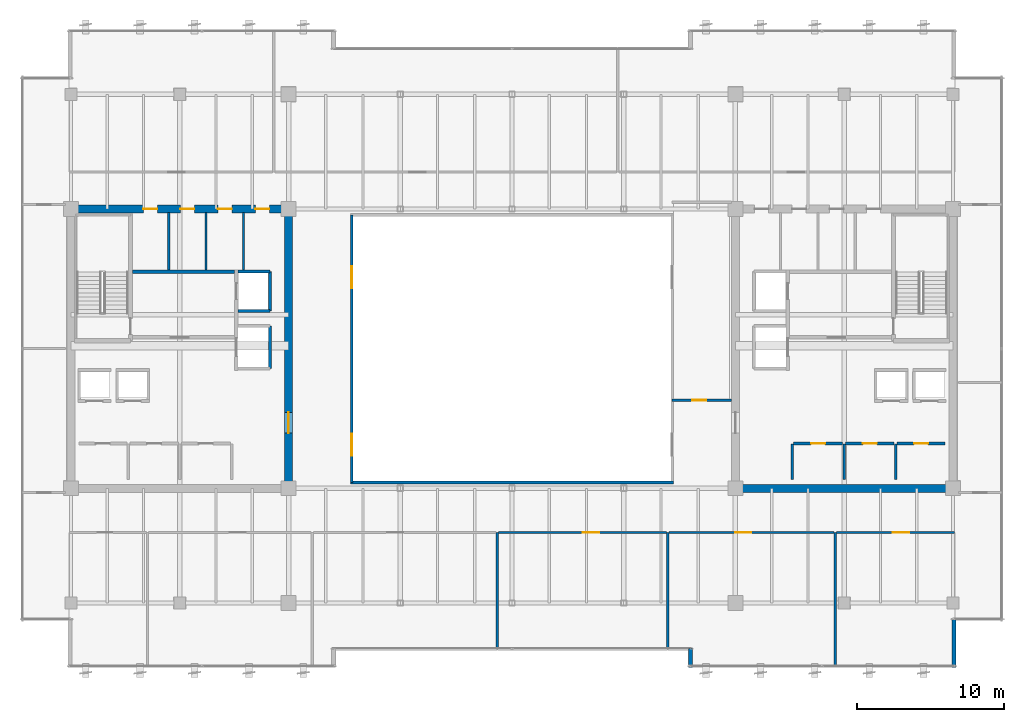
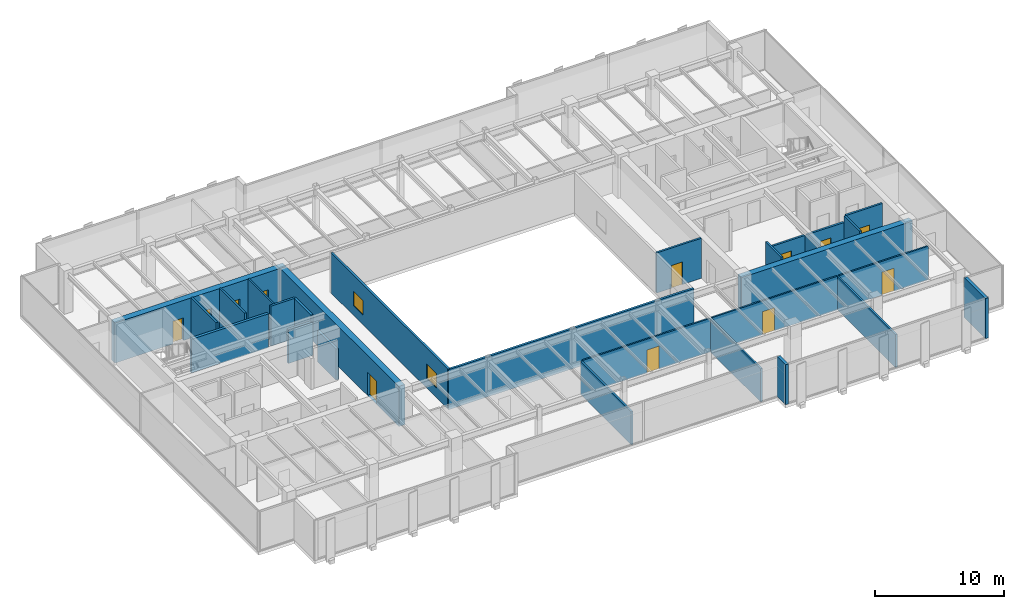
# One storey, part 29 of 36: 28 walls, 12 doors, 2 windows, 14 openings.
"""IFC4 building model written with IfcOpenShell, lengths in metres."""

from ifc_helpers import new_model, si_unit, direction, frame, frame_2d, origin, place, context, subcontext, project, spatial, rectangle, extrude, source, transform, mapped, material, layer, layer_set, type_object, type_shapes, element, fill, save


model = new_model("IFC4")

# Units and contexts
model_context = context("Model", 3, precision=1e-05, world=origin(), true_north=direction((0.0, 1.0)))
body_context = subcontext(model_context, "Body", "Model", "MODEL_VIEW")
ifc_project = project(units=[si_unit("LENGTHUNIT", "METRE"), si_unit("AREAUNIT", "SQUARE_METRE"), si_unit("VOLUMEUNIT", "CUBIC_METRE"), si_unit("PLANEANGLEUNIT", "RADIAN"), si_unit("MASSUNIT", "GRAM", prefix="KILO")], contexts=[model_context])

# Site, building, storey
site_placement = place(None, origin())
site = spatial("IfcSite", under=ifc_project, at=site_placement, CompositionType="ELEMENT")
building_placement = place(site_placement, origin())
building = spatial("IfcBuilding", under=site, at=building_placement, Name="Haelvirn Gate Laboratories", CompositionType="ELEMENT")
storey_placement = place(building_placement, frame((0.0, 0.0, 242.39990234375)))
storey = spatial("IfcBuildingStorey", under=building, at=storey_placement, Name="L58", CompositionType="ELEMENT", Elevation=242.39990234375)

# Walls
ifc_material_1 = material(Name="Thermally-broken bronze aluminium rainscreen & mineral wool", Category="aluminium")
ifc_layer_1 = layer(ifc_material_1, 0.280029296875, Name="EW-TERR-280")
ifc_layer_set_1 = layer_set([ifc_layer_1], Name="Thermally-broken bronze aluminium rainscreen & mineral wool")
wall_type_1 = type_object("IfcWallType", Name="EW-TERR-280", PredefinedType="STANDARD", material=ifc_layer_set_1)
wall_1_placement = place(storey_placement, frame((49.5400390625, 3.89306640625, 0.0), z_axis=(0.0, 0.0, 1.0), x_axis=(0.0, -1.0, 0.0)))
element("IfcWall", 1, at=wall_1_placement, inside=storey, type_object=wall_type_1, Name="L58 Atrium Recess Bronze Return Wall 03", PredefinedType="STANDARD", context=body_context, shape_type="SweptSolid", body=[
    extrude(rectangle(XDim=1.29296875, YDim=0.280029296875, at=frame_2d((0.646484375, 0.0))), origin(), (0.0, 0.0, 1.0), 3.800048828125),
])
wall_2_placement = place(storey_placement, frame((67.4599609375, 2.60009765625, 0.0), z_axis=(0.0, 0.0, 1.0), x_axis=(0.0, 1.0, 0.0)))
element("IfcWall", 2, at=wall_2_placement, inside=storey, type_object=wall_type_1, Name="L58 Atrium Recess Bronze Return Wall 05", PredefinedType="STANDARD", context=body_context, shape_type="SweptSolid", body=[
    extrude(rectangle(XDim=3.287841796875, YDim=0.280029296875, at=frame_2d((1.64404296875, 0.0))), origin(), (0.0, 0.0, 1.0), 3.800048828125),
])
ifc_material_2 = material(Name="Double-layer acoustic gypsum laboratory partition", Category="gypsum")
ifc_layer_2 = layer(ifc_material_2, 0.159912109375, Name="IW-ACOUST-160")
ifc_layer_set_2 = layer_set([ifc_layer_2], Name="Double-layer acoustic gypsum laboratory partition")
wall_type_2 = type_object("IfcWallType", Name="IW-ACOUST-160", PredefinedType="PARTITIONING", material=ifc_layer_set_2)
for number, where, z_axis, x_axis, name in (
    (3, (36.39990234375, 3.909912109375, 0.0), (0.0, 0.0, 1.0), (0.0, 1.0, 0.0), "L58 Interior Wall IW-L58-SDIV-03"),
    (4, (48.0, 3.909912109375, 0.0), (0.0, 0.0, 1.0), (0.0, 1.0, 0.0), "L58 Interior Wall IW-L58-SDIV-04"),
):
    element("IfcWall", number, at=place(storey_placement, frame(where, z_axis=z_axis, x_axis=x_axis)), inside=storey, type_object=wall_type_2, Name=name, PredefinedType="PARTITIONING", context=body_context, shape_type="SweptSolid", body=[
        extrude(rectangle(XDim=7.880126953125, YDim=0.159912109375, at=frame_2d((3.93994140625, 0.0))), origin(), (0.0, 0.0, 1.0), 3.135009765625),
    ])
wall_3_placement = place(storey_placement, frame((59.39990234375, 2.7099609375, 0.0), z_axis=(0.0, 0.0, 1.0), x_axis=(0.0, 1.0, 0.0)))
element("IfcWall", 5, at=wall_3_placement, inside=storey, type_object=wall_type_2, Name="L58 Interior Wall IW-L58-SDIV-05", PredefinedType="PARTITIONING", context=body_context, shape_type="SweptSolid", body=[
    extrude(rectangle(XDim=9.080078125, YDim=0.159912109375, at=frame_2d((4.5400390625, 0.0))), origin(), (0.0, 0.0, 1.0), 3.135009765625),
])

# Wall, opening, door
ifc_material_3 = material(Name="Fire-rated acoustic gypsum board partition", Category="gypsum")
ifc_layer_3 = layer(ifc_material_3, 0.175048828125, Name="IW-ACOUST-180")
ifc_layer_set_3 = layer_set([ifc_layer_3], Name="Fire-rated acoustic gypsum board partition")
wall_type_3 = type_object("IfcWallType", Name="IW-ACOUST-180", PredefinedType="PARTITIONING", material=ifc_layer_set_3)
wall_4_placement = place(storey_placement, frame((48.300048828125, 20.800048828125, 0.0), z_axis=(0.0, 0.0, 1.0), x_axis=(1.0, 0.0, 0.0)))
wall_4 = element("IfcWall", 6, at=wall_4_placement, inside=storey, type_object=wall_type_3, Name="L58 Interior Wall IW-L58-EPOD-S", PredefinedType="PARTITIONING", context=body_context, shape_type="SweptSolid", body=[
    extrude(rectangle(XDim=4.02490234375, YDim=0.175048828125, at=frame_2d((2.012451171875, 0.0))), origin(), (0.0, 0.0, 1.0), 3.800048828125),
])
opening_1_placement = place(wall_4_placement, frame((1.35009765625, 0.0, 0.0)))
opening_1 = element("IfcOpeningElement", 7, at=opening_1_placement, cuts=wall_4, Name="Opening FD4", PredefinedType="OPENING", context=body_context, shape_type="SweptSolid", body=[
    extrude(rectangle(XDim=0.949951171875, YDim=2.14990234375, at=frame_2d((0.47509765625, 1.074951171875))), frame((0.0, 0.09765625, 0.0), z_axis=(0.0, -1.0, 0.0), x_axis=(1.0, 0.0, 0.0)), (0.0, 0.0, 1.0), 0.195068359375),
])
ifc_material_4 = material(Name="Fire-rated steel SM355 core service door", Category="steel")
door_type_1 = type_object("IfcDoorType", Name="DR-FD-950", OperationType="NOTDEFINED", PredefinedType="DOOR", material=ifc_material_4)
shared_shape_1 = source(origin(), body_context, "Body", "SweptSolid", [
    extrude(rectangle(XDim=0.949951171875, YDim=2.14990234375, at=frame_2d((0.47509765625, 1.074951171875))), frame((0.0, 0.02490234375, 0.0), z_axis=(0.0, -1.0, 0.0), x_axis=(1.0, 0.0, 0.0)), (0.0, 0.0, 1.0), 0.050048828125),
])
type_shapes(door_type_1, [shared_shape_1])
door_1_placement = place(opening_1_placement, origin())
door_1 = element("IfcDoor", 8, at=door_1_placement, inside=storey, type_object=door_type_1, Name="L58 High-Zone Collaboration Suite Door", OperationType="SINGLE_SWING_LEFT", OverallHeight=2.14990234375, OverallWidth=0.949951171875, PredefinedType="DOOR", context=body_context, shape_type="MappedRepresentation", body=[
    mapped(shared_shape_1, transform((0.0, 0.0, 0.0), scale=1.0)),
])
fill(opening_1, door_1)

# Wall, openings, windows
ifc_material_5 = material(Name="Tempered fire-rated borosilicate glass & anodised aluminium", Category="aluminium")
ifc_layer_4 = layer(ifc_material_5, 0.195068359375, Name="IW-GLAZ-200")
ifc_layer_set_4 = layer_set([ifc_layer_4], Name="Tempered fire-rated borosilicate glass & anodised aluminium")
wall_type_4 = type_object("IfcWallType", Name="IW-GLAZ-200", PredefinedType="SOLIDWALL", material=ifc_layer_set_4)
wall_5_placement = place(storey_placement, frame((26.5, 15.199951171875, 0.0), z_axis=(0.0, 0.0, 1.0), x_axis=(0.0, 1.0, 0.0)))
wall_5 = element("IfcWall", 9, at=wall_5_placement, inside=storey, type_object=wall_type_4, Name="L58 Interior Wall IW-L58-ATRIUM-W", PredefinedType="SOLIDWALL", context=body_context, shape_type="SweptSolid", body=[
    extrude(rectangle(XDim=18.199951171875, YDim=0.195068359375, at=frame_2d((9.10009765625, 0.0))), origin(), (0.0, 0.0, 1.0), 3.800048828125),
])
opening_2_placement = place(wall_5_placement, frame((1.800048828125, 0.0, 0.89990234375)))
opening_2 = element("IfcOpeningElement", 10, at=opening_2_placement, cuts=wall_5, Name="Opening W5", PredefinedType="OPENING", context=body_context, shape_type="SweptSolid", body=[
    extrude(rectangle(XDim=1.5, YDim=1.39990234375, at=frame_2d((0.75, 0.699951171875))), frame((0.0, 0.107421875, 0.0), z_axis=(0.0, -1.0, 0.0), x_axis=(1.0, 0.0, 0.0)), (0.0, 0.0, 1.0), 0.215087890625),
])
opening_3_placement = place(wall_5_placement, frame((13.199951171875, 0.0, 0.89990234375)))
opening_3 = element("IfcOpeningElement", 11, at=opening_3_placement, cuts=wall_5, Name="Opening W5", PredefinedType="OPENING", context=body_context, shape_type="SweptSolid", body=[
    extrude(rectangle(XDim=1.5, YDim=1.39990234375, at=frame_2d((0.75, 0.699951171875))), frame((0.0, 0.107421875, 0.0), z_axis=(0.0, -1.0, 0.0), x_axis=(1.0, 0.0, 0.0)), (0.0, 0.0, 1.0), 0.215087890625),
])
ifc_material_6 = material(Name="Fire-rated EI 120 borosilicate atrium vision glazing", Category="glass")
window_type = type_object("IfcWindowType", Name="WN-ATR-1500", PartitioningType="SINGLE_PANEL", PredefinedType="WINDOW", material=ifc_material_6)
shared_shape_2 = source(origin(), body_context, "Body", "SweptSolid", [
    extrude(rectangle(XDim=1.5, YDim=1.39990234375, at=frame_2d((0.75, 0.699951171875))), frame((0.0, 0.030029296875, 0.0), z_axis=(0.0, -1.0, 0.0), x_axis=(1.0, 0.0, 0.0)), (0.0, 0.0, 1.0), 0.06005859375),
])
type_shapes(window_type, [shared_shape_2])
window_1_placement = place(opening_2_placement, origin())
window_1 = element("IfcWindow", 12, at=window_1_placement, inside=storey, type_object=window_type, Name="L58 Atrium Observation Window 1", OverallHeight=1.39990234375, OverallWidth=1.5, PartitioningType="SINGLE_PANEL", PredefinedType="WINDOW", context=body_context, shape_type="MappedRepresentation", body=[
    mapped(shared_shape_2, transform((0.0, 0.0, 0.0), scale=1.0)),
])
fill(opening_2, window_1)
window_2_placement = place(opening_3_placement, origin())
window_2 = element("IfcWindow", 13, at=window_2_placement, inside=storey, type_object=window_type, Name="L58 Atrium Observation Window 2", OverallHeight=1.39990234375, OverallWidth=1.5, PartitioningType="SINGLE_PANEL", PredefinedType="WINDOW", context=body_context, shape_type="MappedRepresentation", body=[
    mapped(shared_shape_2, transform((0.0, 0.0, 0.0), scale=1.0)),
])
fill(opening_3, window_2)

# Wall
wall_6_placement = place(storey_placement, frame((26.39990234375, 15.199951171875, 0.0), z_axis=(0.0, 0.0, 1.0), x_axis=(1.0, 0.0, 0.0)))
element("IfcWall", 14, at=wall_6_placement, inside=storey, type_object=wall_type_4, Name="L58 Interior Wall IW-L58-ATRIUM-S", PredefinedType="SOLIDWALL", context=body_context, shape_type="SweptSolid", body=[
    extrude(rectangle(XDim=22.0, YDim=0.195068359375, at=frame_2d((11.0, 0.0))), origin(), (0.0, 0.0, 1.0), 3.800048828125),
])

# Wall, opening, door
ifc_material_7 = material(Name="Acoustic mineral-wool gypsum board partition", Category="gypsum")
ifc_layer_5 = layer(ifc_material_7, 0.139892578125, Name="IW-PART-140")
ifc_layer_set_5 = layer_set([ifc_layer_5], Name="Acoustic mineral-wool gypsum board partition")
wall_type_5 = type_object("IfcWallType", Name="IW-PART-140", PredefinedType="PARTITIONING", material=ifc_layer_set_5)
wall_7_placement = place(storey_placement, frame((36.47998046875, 11.7900390625, 0.0), z_axis=(0.0, 0.0, 1.0), x_axis=(1.0, 0.0, 0.0)))
wall_7 = element("IfcWall", 15, at=wall_7_placement, inside=storey, type_object=wall_type_5, Name="L58 Interior Wall IW-L58-SCORR-04", PredefinedType="PARTITIONING", context=body_context, shape_type="SweptSolid", body=[
    extrude(rectangle(XDim=11.43994140625, YDim=0.139892578125, at=frame_2d((5.719970703125, 0.0))), origin(), (0.0, 0.0, 1.0), 3.197021484375),
])
opening_4_placement = place(wall_7_placement, frame((5.748291015625, 0.0, 0.0)))
opening_4 = element("IfcOpeningElement", 16, at=opening_4_placement, cuts=wall_7, Name="Opening D1", PredefinedType="OPENING", context=body_context, shape_type="SweptSolid", body=[
    extrude(rectangle(XDim=1.10009765625, YDim=2.179931640625, at=frame_2d((0.550048828125, 1.08984375))), frame((0.0, 0.080078125, 0.0), z_axis=(0.0, -1.0, 0.0), x_axis=(1.0, 0.0, 0.0)), (0.0, 0.0, 1.0), 0.159912109375),
])
ifc_material_8 = material(Name="Vision-panel acoustic solid-core timber lab door", Category="wood")
door_type_2 = type_object("IfcDoorType", Name="DR-LAB-1100", OperationType="NOTDEFINED", PredefinedType="DOOR", material=ifc_material_8)
shared_shape_3 = source(origin(), body_context, "Body", "SweptSolid", [
    extrude(rectangle(XDim=1.10009765625, YDim=2.179931640625, at=frame_2d((0.550048828125, 1.08984375))), frame((0.0, 0.02490234375, 0.0), z_axis=(0.0, -1.0, 0.0), x_axis=(1.0, 0.0, 0.0)), (0.0, 0.0, 1.0), 0.050048828125),
])
type_shapes(door_type_2, [shared_shape_3])
door_2_placement = place(opening_4_placement, origin())
door_2 = element("IfcDoor", 17, at=door_2_placement, inside=storey, type_object=door_type_2, Name="L58 Colloquium Conference Room Door S4", OperationType="SINGLE_SWING_RIGHT", OverallHeight=2.179931640625, OverallWidth=1.10009765625, PredefinedType="DOOR", context=body_context, shape_type="MappedRepresentation", body=[
    mapped(shared_shape_3, transform((0.0, 0.0, 0.0), scale=1.0)),
])
fill(opening_4, door_2)

wall_8_placement = place(storey_placement, frame((48.080078125, 11.7900390625, 0.0), z_axis=(0.0, 0.0, 1.0), x_axis=(1.0, 0.0, 0.0)))
wall_8 = element("IfcWall", 18, at=wall_8_placement, inside=storey, type_object=wall_type_5, Name="L58 Interior Wall IW-L58-SCORR-05", PredefinedType="PARTITIONING", context=body_context, shape_type="SweptSolid", body=[
    extrude(rectangle(XDim=11.239990234375, YDim=0.139892578125, at=frame_2d((5.6201171875, 0.0))), origin(), (0.0, 0.0, 1.0), 3.197021484375),
])
opening_5_placement = place(wall_8_placement, frame((4.503662109375, 0.0, 0.0)))
opening_5 = element("IfcOpeningElement", 19, at=opening_5_placement, cuts=wall_8, Name="Opening D1", PredefinedType="OPENING", context=body_context, shape_type="SweptSolid", body=[
    extrude(rectangle(XDim=1.10009765625, YDim=2.179931640625, at=frame_2d((0.550048828125, 1.08984375))), frame((0.0, 0.080078125, 0.0), z_axis=(0.0, -1.0, 0.0), x_axis=(1.0, 0.0, 0.0)), (0.0, 0.0, 1.0), 0.159912109375),
])
door_3_placement = place(opening_5_placement, origin())
door_3 = element("IfcDoor", 20, at=door_3_placement, inside=storey, type_object=door_type_2, Name="L58 Protocol Briefing Training Room Door S5", OperationType="SINGLE_SWING_LEFT", OverallHeight=2.179931640625, OverallWidth=1.10009765625, PredefinedType="DOOR", context=body_context, shape_type="MappedRepresentation", body=[
    mapped(shared_shape_3, transform((0.0, 0.0, 0.0), scale=1.0)),
])
fill(opening_5, door_3)

wall_9_placement = place(storey_placement, frame((59.47998046875, 11.7900390625, 0.0), z_axis=(0.0, 0.0, 1.0), x_axis=(1.0, 0.0, 0.0)))
wall_9 = element("IfcWall", 21, at=wall_9_placement, inside=storey, type_object=wall_type_5, Name="L58 Interior Wall IW-L58-SCORR-06", PredefinedType="PARTITIONING", context=body_context, shape_type="SweptSolid", body=[
    extrude(rectangle(XDim=8.010009765625, YDim=0.139892578125, at=frame_2d((4.0048828125, 0.0))), origin(), (0.0, 0.0, 1.0), 3.197021484375),
])
opening_6_placement = place(wall_9_placement, frame((3.82763671875, 0.0, 0.0)))
opening_6 = element("IfcOpeningElement", 22, at=opening_6_placement, cuts=wall_9, Name="Opening D1", PredefinedType="OPENING", context=body_context, shape_type="SweptSolid", body=[
    extrude(rectangle(XDim=1.10009765625, YDim=2.179931640625, at=frame_2d((0.550048828125, 1.08984375))), frame((0.0, 0.080078125, 0.0), z_axis=(0.0, -1.0, 0.0), x_axis=(1.0, 0.0, 0.0)), (0.0, 0.0, 1.0), 0.159912109375),
])
door_4_placement = place(opening_6_placement, origin())
door_4 = element("IfcDoor", 23, at=door_4_placement, inside=storey, type_object=door_type_2, Name="L58 Peer-Review Seminar Room Door S6", OperationType="SINGLE_SWING_RIGHT", OverallHeight=2.179931640625, OverallWidth=1.10009765625, PredefinedType="DOOR", context=body_context, shape_type="MappedRepresentation", body=[
    mapped(shared_shape_3, transform((0.0, 0.0, 0.0), scale=1.0)),
])
fill(opening_6, door_4)

# Walls
ifc_material_9 = material(Name="Cement-board restroom plumbing chase wall", Category="gypsum")
ifc_layer_6 = layer(ifc_material_9, 0.155029296875, Name="IW-PLUMB-160")
ifc_layer_set_6 = layer_set([ifc_layer_6], Name="Cement-board restroom plumbing chase wall")
wall_type_6 = type_object("IfcWallType", Name="IW-PLUMB-160", PredefinedType="PLUMBINGWALL", material=ifc_layer_set_6)
for number, where, z_axis, x_axis, name in (
    (24, (14.0400390625, 29.64990234375, 0.0), (0.0, 0.0, 1.0), (0.0, 1.0, 0.0), "L58 Interior Wall IW-L58-W-CDIV-1"),
    (25, (16.590087890625, 29.64990234375, 0.0), (0.0, 0.0, 1.0), (0.0, 1.0, 0.0), "L58 Interior Wall IW-L58-W-CDIV-2"),
    (26, (19.139892578125, 29.64990234375, 0.0), (0.0, 0.0, 1.0), (0.0, 1.0, 0.0), "L58 Interior Wall IW-L58-W-CDIV-3"),
):
    element("IfcWall", number, at=place(storey_placement, frame(where, z_axis=z_axis, x_axis=x_axis)), inside=storey, type_object=wall_type_6, Name=name, PredefinedType="PLUMBINGWALL", context=body_context, shape_type="SweptSolid", body=[
        extrude(rectangle(XDim=3.93017578125, YDim=0.155029296875, at=frame_2d((1.965087890625, 0.0))), origin(), (0.0, 0.0, 1.0), 3.800048828125),
    ])

# Wall, opening, door
ifc_material_10 = material(Name="Concrete C40/50", Category="concrete")
ifc_layer_7 = layer(ifc_material_10, 0.179931640625, Name="IW-SHAFT-180")
ifc_layer_set_7 = layer_set([ifc_layer_7], Name="Concrete C40/50")
wall_type_7 = type_object("IfcWallType", Name="IW-SHAFT-180", PredefinedType="SOLIDWALL", material=ifc_layer_set_7)
wall_10_placement = place(storey_placement, frame((63.60009765625, 17.85009765625, 0.0), z_axis=(0.0, 0.0, 1.0), x_axis=(1.0, 0.0, 0.0)))
wall_10 = element("IfcWall", 27, at=wall_10_placement, inside=storey, type_object=wall_type_7, Name="L58 Interior Wall IW-L58-E-FREED-HN-1", PredefinedType="SOLIDWALL", context=body_context, shape_type="SweptSolid", body=[
    extrude(rectangle(XDim=3.25, YDim=0.179931640625, at=frame_2d((1.625, 0.0))), origin(), (0.0, 0.0, 1.0), 3.800048828125),
])
opening_7_placement = place(wall_10_placement, frame((1.14990234375, 0.0, 0.0)))
opening_7 = element("IfcOpeningElement", 28, at=opening_7_placement, cuts=wall_10, Name="Opening FD4", PredefinedType="OPENING", context=body_context, shape_type="SweptSolid", body=[
    extrude(rectangle(XDim=0.949951171875, YDim=2.14990234375, at=frame_2d((0.47509765625, 1.074951171875))), frame((0.0, 0.10009765625, 0.0), z_axis=(0.0, -1.0, 0.0), x_axis=(1.0, 0.0, 0.0)), (0.0, 0.0, 1.0), 0.199951171875),
])
door_5_placement = place(opening_7_placement, origin())
door_5 = element("IfcDoor", 29, at=door_5_placement, inside=storey, type_object=door_type_1, Name="L58 Autoclave Bio-Prep Room Door", OperationType="SINGLE_SWING_LEFT", OverallHeight=2.14990234375, OverallWidth=0.949951171875, PredefinedType="DOOR", context=body_context, shape_type="MappedRepresentation", body=[
    mapped(shared_shape_1, transform((0.0, 0.0, 0.0), scale=1.0)),
])
fill(opening_7, door_5)

# Wall
wall_11_placement = place(storey_placement, frame((63.510009765625, 15.39990234375, 0.0), z_axis=(0.0, 0.0, 1.0), x_axis=(0.0, 1.0, 0.0)))
element("IfcWall", 30, at=wall_11_placement, inside=storey, type_object=wall_type_7, Name="L58 Interior Wall IW-L58-E-FREED-HE-1", PredefinedType="SOLIDWALL", context=body_context, shape_type="SweptSolid", body=[
    extrude(rectangle(XDim=2.400146484375, YDim=0.179931640625, at=frame_2d((1.2001953125, 0.0))), origin(), (0.0, 0.0, 1.0), 3.800048828125),
])

# Wall, opening, door
wall_12_placement = place(storey_placement, frame((60.10009765625, 17.85009765625, 0.0), z_axis=(0.0, 0.0, 1.0), x_axis=(1.0, 0.0, 0.0)))
wall_12 = element("IfcWall", 31, at=wall_12_placement, inside=storey, type_object=wall_type_7, Name="L58 Interior Wall IW-L58-E-FREED-HN-2", PredefinedType="SOLIDWALL", context=body_context, shape_type="SweptSolid", body=[
    extrude(rectangle(XDim=3.2998046875, YDim=0.179931640625, at=frame_2d((1.64990234375, 0.0))), origin(), (0.0, 0.0, 1.0), 3.197021484375),
])
opening_8_placement = place(wall_12_placement, frame((1.175048828125, 0.0, 0.0)))
opening_8 = element("IfcOpeningElement", 32, at=opening_8_placement, cuts=wall_12, Name="Opening FD4", PredefinedType="OPENING", context=body_context, shape_type="SweptSolid", body=[
    extrude(rectangle(XDim=0.949951171875, YDim=2.14990234375, at=frame_2d((0.47509765625, 1.074951171875))), frame((0.0, 0.10009765625, 0.0), z_axis=(0.0, -1.0, 0.0), x_axis=(1.0, 0.0, 0.0)), (0.0, 0.0, 1.0), 0.199951171875),
])
door_6_placement = place(opening_8_placement, origin())
door_6 = element("IfcDoor", 33, at=door_6_placement, inside=storey, type_object=door_type_1, Name="L58 Telemetry Analytics Room Door", OperationType="SINGLE_SWING_RIGHT", OverallHeight=2.14990234375, OverallWidth=0.949951171875, PredefinedType="DOOR", context=body_context, shape_type="MappedRepresentation", body=[
    mapped(shared_shape_1, transform((0.0, 0.0, 0.0), scale=1.0)),
])
fill(opening_8, door_6)

# Wall
wall_13_placement = place(storey_placement, frame((60.010009765625, 15.39990234375, 0.0), z_axis=(0.0, 0.0, 1.0), x_axis=(0.0, 1.0, 0.0)))
element("IfcWall", 34, at=wall_13_placement, inside=storey, type_object=wall_type_7, Name="L58 Interior Wall IW-L58-E-FREED-HE-2", PredefinedType="SOLIDWALL", context=body_context, shape_type="SweptSolid", body=[
    extrude(rectangle(XDim=2.400146484375, YDim=0.179931640625, at=frame_2d((1.2001953125, 0.0))), origin(), (0.0, 0.0, 1.0), 3.197021484375),
])

# Wall, opening, door
wall_14_placement = place(storey_placement, frame((56.550048828125, 17.85009765625, 0.0), z_axis=(0.0, 0.0, 1.0), x_axis=(1.0, 0.0, 0.0)))
wall_14 = element("IfcWall", 35, at=wall_14_placement, inside=storey, type_object=wall_type_7, Name="L58 Interior Wall IW-L58-E-FREED-HN-3", PredefinedType="SOLIDWALL", context=body_context, shape_type="SweptSolid", body=[
    extrude(rectangle(XDim=3.349853515625, YDim=0.179931640625, at=frame_2d((1.6748046875, 0.0))), origin(), (0.0, 0.0, 1.0), 3.197021484375),
])
opening_9_placement = place(wall_14_placement, frame((1.199951171875, 0.0, 0.0)))
opening_9 = element("IfcOpeningElement", 36, at=opening_9_placement, cuts=wall_14, Name="Opening FD4", PredefinedType="OPENING", context=body_context, shape_type="SweptSolid", body=[
    extrude(rectangle(XDim=0.949951171875, YDim=2.14990234375, at=frame_2d((0.47509765625, 1.074951171875))), frame((0.0, 0.10009765625, 0.0), z_axis=(0.0, -1.0, 0.0), x_axis=(1.0, 0.0, 0.0)), (0.0, 0.0, 1.0), 0.199951171875),
])
door_7_placement = place(opening_9_placement, origin())
door_7 = element("IfcDoor", 37, at=door_7_placement, inside=storey, type_object=door_type_1, Name="L58 Calibration Metrology Room Door", OperationType="SINGLE_SWING_LEFT", OverallHeight=2.14990234375, OverallWidth=0.949951171875, PredefinedType="DOOR", context=body_context, shape_type="MappedRepresentation", body=[
    mapped(shared_shape_1, transform((0.0, 0.0, 0.0), scale=1.0)),
])
fill(opening_9, door_7)

# Walls
wall_15_placement = place(storey_placement, frame((56.4599609375, 15.39990234375, 0.0), z_axis=(0.0, 0.0, 1.0), x_axis=(0.0, 1.0, 0.0)))
element("IfcWall", 38, at=wall_15_placement, inside=storey, type_object=wall_type_7, Name="L58 Interior Wall IW-L58-E-FREED-HE-3", PredefinedType="SOLIDWALL", context=body_context, shape_type="SweptSolid", body=[
    extrude(rectangle(XDim=2.400146484375, YDim=0.179931640625, at=frame_2d((1.2001953125, 0.0))), origin(), (0.0, 0.0, 1.0), 3.800048828125),
])
ifc_layer_8 = layer(ifc_material_10, 0.199951171875, Name="IW-SHAFT-200")
ifc_layer_set_8 = layer_set([ifc_layer_8], Name="Concrete C40/50")
wall_type_8 = type_object("IfcWallType", Name="IW-SHAFT-200", PredefinedType="SOLIDWALL", material=ifc_layer_set_8)
wall_16_placement = place(storey_placement, frame((20.949951171875, 26.85009765625, 0.0), z_axis=(0.0, 0.0, 1.0), x_axis=(0.0, 1.0, 0.0)))
element("IfcWall", 39, at=wall_16_placement, inside=storey, type_object=wall_type_8, Name="L58 Interior Wall IW-L58-FL1-BK", PredefinedType="SOLIDWALL", context=body_context, shape_type="SweptSolid", body=[
    extrude(rectangle(XDim=2.699951171875, YDim=0.199951171875, at=frame_2d((1.35009765625, 0.0))), origin(), (0.0, 0.0, 1.0), 3.800048828125),
])
wall_17_placement = place(storey_placement, frame((18.760009765625, 29.550048828125, 0.0), z_axis=(0.0, 0.0, 1.0), x_axis=(1.0, 0.0, 0.0)))
element("IfcWall", 40, at=wall_17_placement, inside=storey, type_object=wall_type_8, Name="L58 Interior Wall IW-L58-FL1-N", PredefinedType="SOLIDWALL", context=body_context, shape_type="SweptSolid", body=[
    extrude(rectangle(XDim=2.18994140625, YDim=0.199951171875, at=frame_2d((1.094970703125, 0.0))), origin(), (0.0, 0.0, 1.0), 3.800048828125),
])
wall_18_placement = place(storey_placement, frame((18.760009765625, 26.85009765625, 0.0), z_axis=(0.0, 0.0, 1.0), x_axis=(1.0, 0.0, 0.0)))
element("IfcWall", 41, at=wall_18_placement, inside=storey, type_object=wall_type_8, Name="L58 Interior Wall IW-L58-FL1-S", PredefinedType="SOLIDWALL", context=body_context, shape_type="SweptSolid", body=[
    extrude(rectangle(XDim=2.18994140625, YDim=0.199951171875, at=frame_2d((1.094970703125, 0.0))), origin(), (0.0, 0.0, 1.0), 3.197021484375),
])
wall_19_placement = place(storey_placement, frame((20.949951171875, 22.949951171875, 0.0), z_axis=(0.0, 0.0, 1.0), x_axis=(0.0, 1.0, 0.0)))
element("IfcWall", 42, at=wall_19_placement, inside=storey, type_object=wall_type_8, Name="L58 Interior Wall IW-L58-SL1-BK", PredefinedType="SOLIDWALL", context=body_context, shape_type="SweptSolid", body=[
    extrude(rectangle(XDim=2.900146484375, YDim=0.199951171875, at=frame_2d((1.4501953125, 0.0))), origin(), (0.0, 0.0, 1.0), 2.93505859375),
])
ifc_layer_9 = layer(ifc_material_10, 0.239990234375, Name="IW-SHAFT-240")
ifc_layer_set_9 = layer_set([ifc_layer_9], Name="Concrete C40/50")
wall_type_9 = type_object("IfcWallType", Name="IW-SHAFT-240", PredefinedType="SOLIDWALL", material=ifc_layer_set_9)
wall_20_placement = place(storey_placement, frame((11.60009765625, 29.52001953125, 0.0), z_axis=(0.0, 0.0, 1.0), x_axis=(1.0, 0.0, 0.0)))
element("IfcWall", 43, at=wall_20_placement, inside=storey, type_object=wall_type_9, Name="L58 Interior Wall IW-L58-W-FF-N", PredefinedType="SOLIDWALL", context=body_context, shape_type="SweptSolid", body=[
    extrude(rectangle(XDim=6.919921875, YDim=0.239990234375, at=frame_2d((3.4599609375, 0.0))), origin(), (0.0, 0.0, 1.0), 3.197021484375),
])

# Wall, openings, doors
ifc_material_11 = material(Name="Concrete C50/60", Category="concrete")
ifc_layer_10 = layer(ifc_material_11, 0.550048828125, Name="SW-CORE-550")
ifc_layer_set_10 = layer_set([ifc_layer_10], Name="Concrete C50/60")
wall_type_10 = type_object("IfcWallType", Name="SW-CORE-550", PredefinedType="SHEAR", material=ifc_layer_set_10)
wall_21_placement = place(storey_placement, frame((7.125, 33.800048828125, 0.0), z_axis=(0.0, 0.0, 1.0), x_axis=(1.0, 0.0, 0.0)))
wall_21 = element("IfcWall", 44, at=wall_21_placement, inside=storey, type_object=wall_type_10, Name="L58 W Core Shear Wall N", PredefinedType="SHEAR", context=body_context, shape_type="SweptSolid", body=[
    extrude(rectangle(XDim=15.35009765625, YDim=0.550048828125, at=frame_2d((7.675048828125, 0.0))), origin(), (0.0, 0.0, 1.0), 3.800048828125),
])
opening_10_placement = place(wall_21_placement, frame((5.199951171875, 0.0, 0.0)))
opening_10 = element("IfcOpeningElement", 45, at=opening_10_placement, cuts=wall_21, Name="Opening FD4", PredefinedType="OPENING", context=body_context, shape_type="SweptSolid", body=[
    extrude(rectangle(XDim=0.949951171875, YDim=2.14990234375, at=frame_2d((0.47509765625, 1.074951171875))), frame((0.0, 0.28515625, 0.0), z_axis=(0.0, -1.0, 0.0), x_axis=(1.0, 0.0, 0.0)), (0.0, 0.0, 1.0), 0.570068359375),
])
opening_11_placement = place(wall_21_placement, frame((7.715087890625, 0.0, 0.0)))
opening_11 = element("IfcOpeningElement", 46, at=opening_11_placement, cuts=wall_21, Name="Opening FD4", PredefinedType="OPENING", context=body_context, shape_type="SweptSolid", body=[
    extrude(rectangle(XDim=0.949951171875, YDim=2.14990234375, at=frame_2d((0.47509765625, 1.074951171875))), frame((0.0, 0.28515625, 0.0), z_axis=(0.0, -1.0, 0.0), x_axis=(1.0, 0.0, 0.0)), (0.0, 0.0, 1.0), 0.570068359375),
])
opening_12_placement = place(wall_21_placement, frame((10.264892578125, 0.0, 0.0)))
opening_12 = element("IfcOpeningElement", 47, at=opening_12_placement, cuts=wall_21, Name="Opening FD4", PredefinedType="OPENING", context=body_context, shape_type="SweptSolid", body=[
    extrude(rectangle(XDim=0.949951171875, YDim=2.14990234375, at=frame_2d((0.47509765625, 1.074951171875))), frame((0.0, 0.28515625, 0.0), z_axis=(0.0, -1.0, 0.0), x_axis=(1.0, 0.0, 0.0)), (0.0, 0.0, 1.0), 0.570068359375),
])
opening_13_placement = place(wall_21_placement, frame((12.81494140625, 0.0, 0.0)))
opening_13 = element("IfcOpeningElement", 48, at=opening_13_placement, cuts=wall_21, Name="Opening FD4", PredefinedType="OPENING", context=body_context, shape_type="SweptSolid", body=[
    extrude(rectangle(XDim=0.949951171875, YDim=2.14990234375, at=frame_2d((0.47509765625, 1.074951171875))), frame((0.0, 0.28515625, 0.0), z_axis=(0.0, -1.0, 0.0), x_axis=(1.0, 0.0, 0.0)), (0.0, 0.0, 1.0), 0.570068359375),
])
door_8_placement = place(opening_10_placement, origin())
door_8 = element("IfcDoor", 49, at=door_8_placement, inside=storey, type_object=door_type_1, Name="L58 Male Restroom Fire Door", OperationType="SINGLE_SWING_LEFT", OverallHeight=2.14990234375, OverallWidth=0.949951171875, PredefinedType="DOOR", context=body_context, shape_type="MappedRepresentation", body=[
    mapped(shared_shape_1, transform((0.0, 0.0, 0.0), scale=1.0)),
])
fill(opening_10, door_8)
door_9_placement = place(opening_11_placement, origin())
door_9 = element("IfcDoor", 50, at=door_9_placement, inside=storey, type_object=door_type_1, Name="L58 Female Restroom Fire Door", OperationType="SINGLE_SWING_RIGHT", OverallHeight=2.14990234375, OverallWidth=0.949951171875, PredefinedType="DOOR", context=body_context, shape_type="MappedRepresentation", body=[
    mapped(shared_shape_1, transform((0.0, 0.0, 0.0), scale=1.0)),
])
fill(opening_11, door_9)
door_10_placement = place(opening_12_placement, origin())
door_10 = element("IfcDoor", 51, at=door_10_placement, inside=storey, type_object=door_type_1, Name="L58 Accessible Restroom Fire Door", OperationType="SINGLE_SWING_LEFT", OverallHeight=2.14990234375, OverallWidth=0.949951171875, PredefinedType="DOOR", context=body_context, shape_type="MappedRepresentation", body=[
    mapped(shared_shape_1, transform((0.0, 0.0, 0.0), scale=1.0)),
])
fill(opening_12, door_10)
door_11_placement = place(opening_13_placement, origin())
door_11 = element("IfcDoor", 52, at=door_11_placement, inside=storey, type_object=door_type_1, Name="L58 Decontamination Shower Washroom Fire Door", OperationType="SINGLE_SWING_RIGHT", OverallHeight=2.14990234375, OverallWidth=0.949951171875, PredefinedType="DOOR", context=body_context, shape_type="MappedRepresentation", body=[
    mapped(shared_shape_1, transform((0.0, 0.0, 0.0), scale=1.0)),
])
fill(opening_13, door_11)

# Wall, opening, door
wall_22_placement = place(storey_placement, frame((22.199951171875, 15.074951171875, 0.0), z_axis=(0.0, 0.0, 1.0), x_axis=(0.0, 1.0, 0.0)))
wall_22 = element("IfcWall", 53, at=wall_22_placement, inside=storey, type_object=wall_type_10, Name="L58 W Core Shear Wall E", PredefinedType="SHEAR", context=body_context, shape_type="SweptSolid", body=[
    extrude(rectangle(XDim=18.449951171875, YDim=0.550048828125, at=frame_2d((9.22509765625, 0.0))), origin(), (0.0, 0.0, 1.0), 3.800048828125),
])
opening_14_placement = place(wall_22_placement, frame((3.47509765625, 0.0, 0.0)))
opening_14 = element("IfcOpeningElement", 54, at=opening_14_placement, cuts=wall_22, Name="Opening FD1", PredefinedType="OPENING", context=body_context, shape_type="SweptSolid", body=[
    extrude(rectangle(XDim=1.419921875, YDim=2.199951171875, at=frame_2d((0.7099609375, 1.10009765625))), frame((0.0, 0.28515625, 0.0), z_axis=(0.0, -1.0, 0.0), x_axis=(1.0, 0.0, 0.0)), (0.0, 0.0, 1.0), 0.570068359375),
])
ifc_material_12 = material(Name="Fire-rated double steel SM355 lobby door", Category="steel")
door_type_3 = type_object("IfcDoorType", Name="DR-FD-1400", OperationType="NOTDEFINED", PredefinedType="DOOR", material=ifc_material_12)
shared_shape_4 = source(origin(), body_context, "Body", "SweptSolid", [
    extrude(rectangle(XDim=1.419921875, YDim=2.199951171875, at=frame_2d((0.7099609375, 1.10009765625))), frame((0.0, 0.02490234375, 0.0), z_axis=(0.0, -1.0, 0.0), x_axis=(1.0, 0.0, 0.0)), (0.0, 0.0, 1.0), 0.050048828125),
])
type_shapes(door_type_3, [shared_shape_4])
door_12_placement = place(opening_14_placement, origin())
door_12 = element("IfcDoor", 55, at=door_12_placement, inside=storey, type_object=door_type_3, Name="L58 West Core Lift Lobby Fire Door", OperationType="DOUBLE_DOOR_SINGLE_SWING", OverallHeight=2.199951171875, OverallWidth=1.419921875, PredefinedType="DOOR", context=body_context, shape_type="MappedRepresentation", body=[
    mapped(shared_shape_4, transform((0.0, 0.0, 0.0), scale=1.0)),
])
fill(opening_14, door_12)

# Wall
wall_23_placement = place(storey_placement, frame((52.324951171875, 14.800048828125, 0.0), z_axis=(0.0, 0.0, 1.0), x_axis=(1.0, 0.0, 0.0)))
element("IfcWall", 56, at=wall_23_placement, inside=storey, type_object=wall_type_10, Name="L58 E Core Shear Wall S", PredefinedType="SHEAR", context=body_context, shape_type="SweptSolid", body=[
    extrude(rectangle(XDim=15.35009765625, YDim=0.550048828125, at=frame_2d((7.675048828125, 0.0))), origin(), (0.0, 0.0, 1.0), 3.800048828125),
])

save(model, "model.ifc")
